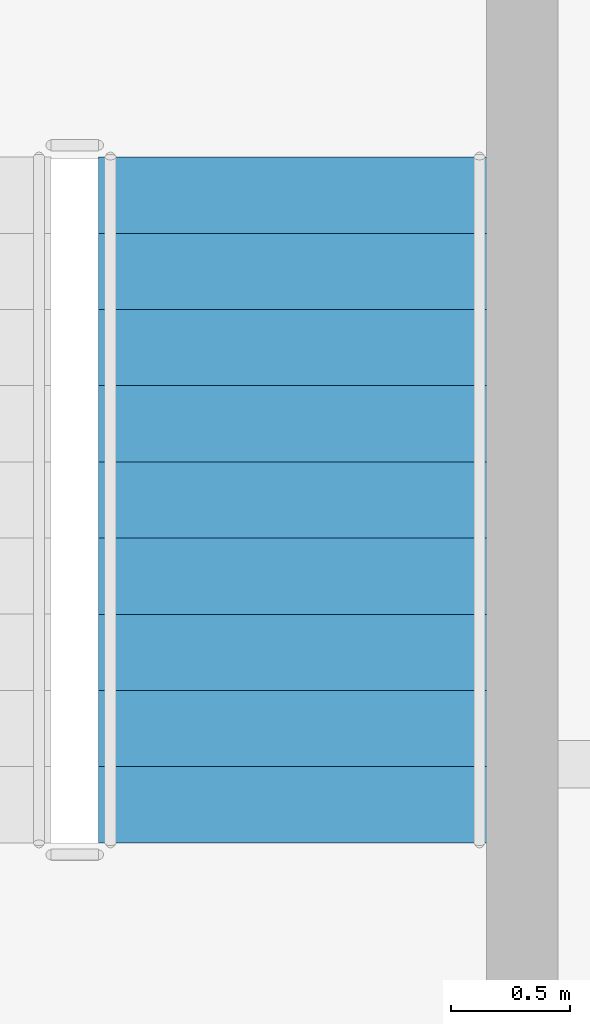
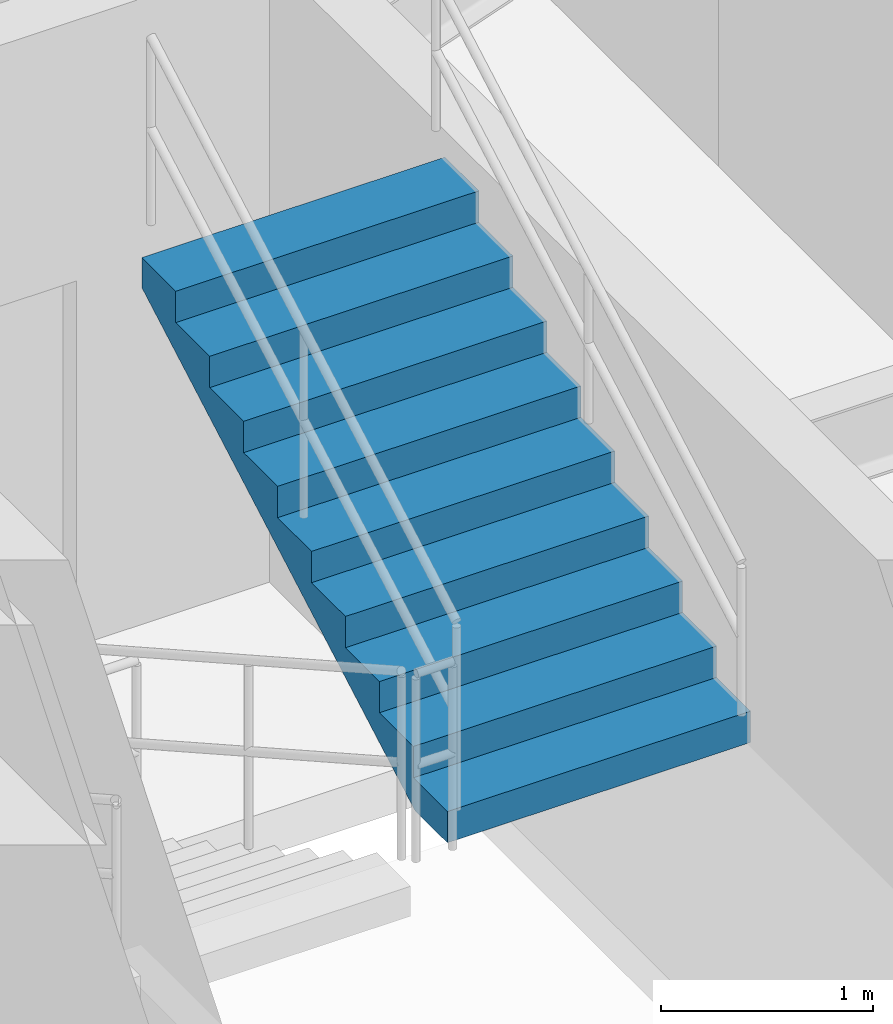
# One storey, part 19 of 20: 1 stair flight, 1 element without a shape of its own.
"""IFC4 building model written with IfcOpenShell, lengths in metres."""

from ifc_helpers import new_model, si_unit, direction, frame, origin, place, context, subcontext, project, spatial, polyline, outline, extrude, material, type_object, element, aggregate, save


model = new_model("IFC4")

# Units and contexts
model_context = context("Model", 3, precision=1e-05, world=origin(), true_north=direction((0.0, 1.0)))
body_context = subcontext(model_context, "Body", "Model", "MODEL_VIEW")
ifc_project = project(units=[si_unit("LENGTHUNIT", "METRE"), si_unit("AREAUNIT", "SQUARE_METRE"), si_unit("VOLUMEUNIT", "CUBIC_METRE"), si_unit("PLANEANGLEUNIT", "RADIAN"), si_unit("MASSUNIT", "GRAM", prefix="KILO")], contexts=[model_context])

# Site, building, storey
site_placement = place(None, origin())
site = spatial("IfcSite", under=ifc_project, at=site_placement, CompositionType="ELEMENT")
building_placement = place(site_placement, origin())
building = spatial("IfcBuilding", under=site, at=building_placement, Name="Veldorina Hangang Commons", CompositionType="ELEMENT")
storey_placement = place(building_placement, frame((0.0, 0.0, 171.199951171875)))
storey = spatial("IfcBuildingStorey", under=building, at=storey_placement, Name="L44", CompositionType="ELEMENT", Elevation=171.199951171875)

# Stair, stair flight
ifc_material = material(Name="Concrete C40/50", Category="concrete")
stair_type = type_object("IfcStairType", Name="STR-DOG-1650-20R", PredefinedType="HALF_TURN_STAIR", material=ifc_material)
stair_placement = place(storey_placement, origin())
stair = element("IfcStair", 1, at=stair_placement, inside=storey, type_object=stair_type, Name="L44 Exit stair ST-2", PredefinedType="HALF_TURN_STAIR")
stair_flight_type = type_object("IfcStairFlightType", Name="SFL-STR-1650-20R", PredefinedType="STRAIGHT", material=ifc_material)
stair_flight_placement = place(storey_placement, frame((42.22509765625, 23.669921875, 1.800048828125), z_axis=(0.0, 0.0, 1.0), x_axis=(0.0, 1.0, 0.0)))
stair_flight = element("IfcStairFlight", 2, at=stair_flight_placement, type_object=stair_flight_type, Name="ST-2 flight 2", NumberOfRisers=10, NumberOfTreads=9, PredefinedType="STRAIGHT", RiserHeight=0.18, TreadLength=0.32, context=body_context, shape_type="SweptSolid", body=[
    extrude(outline(polyline([(0.0, 0.0), (0.0, 0.179931640625), (0.320068359375, 0.179931640625), (0.320068359375, 0.360107421875), (0.639892578125, 0.360107421875), (0.639892578125, 0.5400390625), (0.9599609375, 0.5400390625), (0.9599609375, 0.719970703125), (1.280029296875, 0.719970703125), (1.280029296875, 0.89990234375), (1.60009765625, 0.89990234375), (1.60009765625, 1.080078125), (1.919921875, 1.080078125), (1.919921875, 1.260009765625), (2.239990234375, 1.260009765625), (2.239990234375, 1.43994140625), (2.56005859375, 1.43994140625), (2.56005859375, 1.6201171875), (2.8798828125, 1.6201171875), (2.8798828125, 1.800048828125), (2.8798828125, 1.447998046875), (0.3056640625, 0.0), (0.0, 0.0)])), frame((0.0, 0.824951171875, 0.0), z_axis=(0.0, -1.0, 0.0), x_axis=(1.0, 0.0, 0.0)), (0.0, 0.0, 1.0), 1.64990234375),
])
aggregate(stair, [stair_flight])

save(model, "model.ifc")
